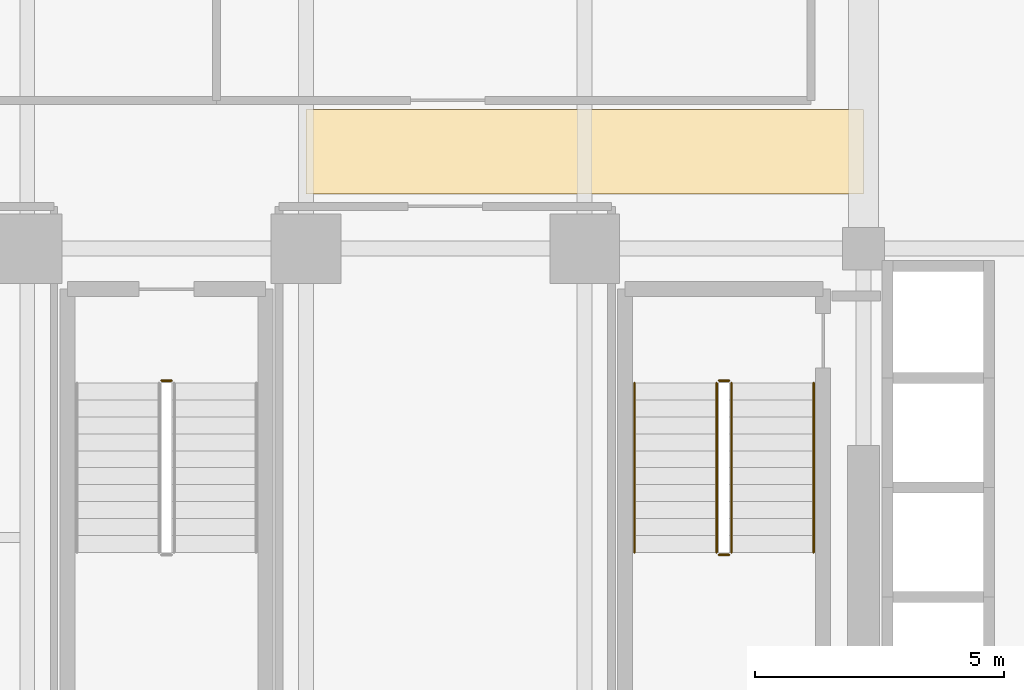
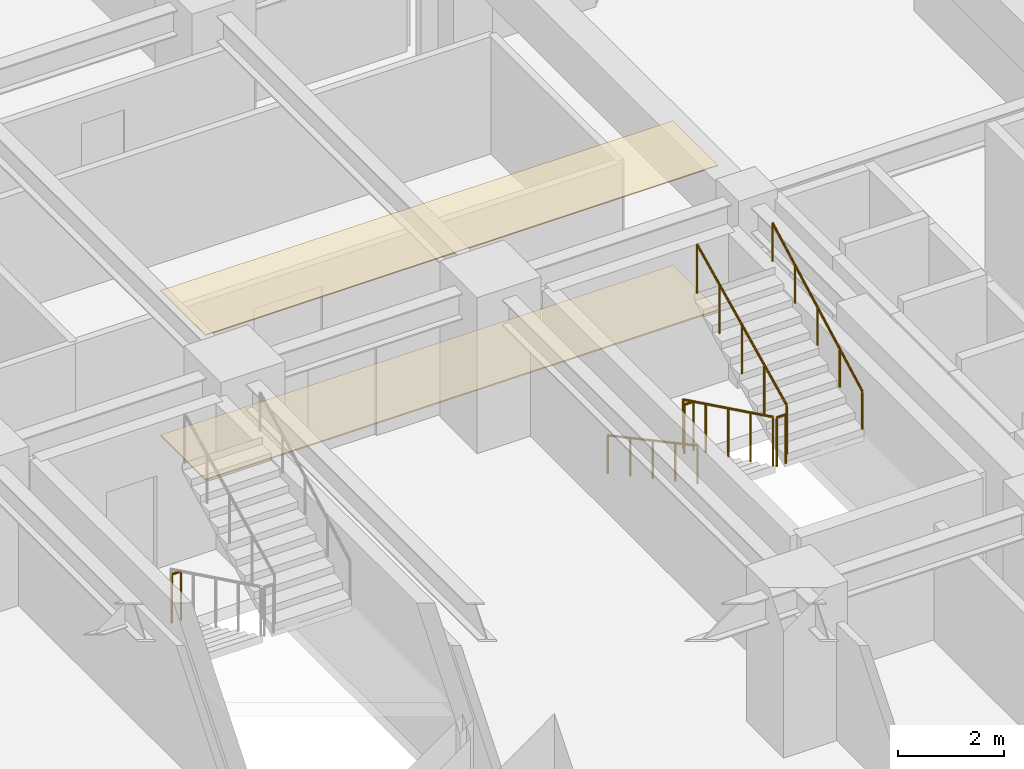
# One storey, part 36 of 39: 7 railings, 2 coverings.
"""IFC4 building model written with IfcOpenShell, lengths in metres."""

from ifc_helpers import new_model, si_unit, direction, frame, origin, origin_2d, place, context, subcontext, project, spatial, polyline, circle, outline, extrude, material, layer, layer_set, type_object, element, save


model = new_model("IFC4")

# Units and contexts
model_context = context("Model", 3, precision=1e-05, world=origin(), true_north=direction((0.0, 1.0)))
body_context = subcontext(model_context, "Body", "Model", "MODEL_VIEW")
ifc_project = project(units=[si_unit("LENGTHUNIT", "METRE"), si_unit("AREAUNIT", "SQUARE_METRE"), si_unit("VOLUMEUNIT", "CUBIC_METRE"), si_unit("PLANEANGLEUNIT", "RADIAN"), si_unit("MASSUNIT", "GRAM", prefix="KILO")], contexts=[model_context])

# Site, building, storey
site_placement = place(None, origin())
site = spatial("IfcSite", under=ifc_project, at=site_placement, CompositionType="ELEMENT")
building_placement = place(site_placement, origin())
building = spatial("IfcBuilding", under=site, at=building_placement, Name="Nahalor Promenade Grand Hotel", CompositionType="ELEMENT")
storey_placement = place(building_placement, frame((0.0, 0.0, 32.39990234375)))
storey = spatial("IfcBuildingStorey", under=building, at=storey_placement, Name="L06", CompositionType="ELEMENT", Elevation=32.39990234375)

# Coverings
ifc_material_1 = material(Name="Acoustic Mineral Gypsum", Category="gypsum")
ifc_layer_1 = layer(ifc_material_1, 0.02490234375)
ifc_layer_set_1 = layer_set([ifc_layer_1], Name="Acoustic Mineral Gypsum")
covering_type_1 = type_object("IfcCoveringType", Name="Acoustic Suspended Ceiling Tile", PredefinedType="CEILING", material=ifc_layer_set_1)
covering_1_placement = place(storey_placement, frame((0.0, 0.0, 3.34521484375)))
element("IfcCovering", 1, at=covering_1_placement, inside=storey, type_object=covering_type_1, Name="CV-CEIL-L06", PredefinedType="CEILING", context=body_context, shape_type="SweptSolid", body=[
    extrude(outline(polyline([(-2.800048828125, -4.300048828125), (8.39990234375, -4.300048828125), (8.39990234375, -2.60009765625), (-2.800048828125, -2.60009765625), (-2.800048828125, -4.300048828125)])), origin(), (0.0, 0.0, 1.0), 0.02490234375),
])
ifc_material_2 = material(Name="Jerusalem Limestone Flooring", Category="masonry")
ifc_layer_2 = layer(ifc_material_2, 0.030029296875)
ifc_layer_set_2 = layer_set([ifc_layer_2], Name="Jerusalem Limestone Flooring")
covering_type_2 = type_object("IfcCoveringType", Name="Honed Limestone Floor Finish", PredefinedType="FLOORING", material=ifc_layer_set_2)
covering_2_placement = place(storey_placement, origin())
element("IfcCovering", 2, at=covering_2_placement, inside=storey, type_object=covering_type_2, Name="CV-FLOR-L06", PredefinedType="FLOORING", context=body_context, shape_type="SweptSolid", body=[
    extrude(outline(polyline([(-2.800048828125, -4.300048828125), (8.39990234375, -4.300048828125), (8.39990234375, -2.60009765625), (-2.800048828125, -2.60009765625), (-2.800048828125, -4.300048828125)])), origin(), (0.0, 0.0, 1.0), 0.030029296875),
])

# Railings
ifc_material_3 = material(Name="Steel S355JR", Category="steel")
railing_type_1 = type_object("IfcRailingType", Name="Steel Stair Guardrail 1150 mm", PredefinedType="GUARDRAIL", material=ifc_material_3)
railing_1_placement = place(storey_placement, frame((5.449951171875, -8.10009765625, 0.166015625)))
element("IfcRailing", 3, at=railing_1_placement, inside=storey, type_object=railing_type_1, Name="L06 ST2 stair guard 1", PredefinedType="GUARDRAIL", context=body_context, shape_type="SweptSolid", body=[
    extrude(circle(Radius=0.024048, at=origin_2d()), frame((0.0, 0.0, 1.1259765625), z_axis=(0.0, -0.898696488221, 0.438571114028), x_axis=(1.0, 0.0, 0.0)), (0.0, 0.0, 1.0), 3.783203125),
    extrude(circle(Radius=0.020996, at=origin_2d()), origin(), (0.0, 0.0, 1.0), 1.099853515625),
    extrude(circle(Radius=0.020996, at=origin_2d()), frame((0.0, -0.85009765625, 0.414794921875)), (0.0, 0.0, 1.0), 1.099853515625),
    extrude(circle(Radius=0.020996, at=origin_2d()), frame((0.0, -1.699951171875, 0.82958984375)), (0.0, 0.0, 1.0), 1.099853515625),
    extrude(circle(Radius=0.020996, at=origin_2d()), frame((0.0, -2.5498046875, 1.244384765625)), (0.0, 0.0, 1.0), 1.099853515625),
    extrude(circle(Radius=0.020996, at=origin_2d()), frame((0.0, -3.39990234375, 1.6591796875)), (0.0, 0.0, 1.0), 1.099853515625),
])
railing_2_placement = place(storey_placement, frame((5.5, -11.550048828125, 1.8251953125)))
element("IfcRailing", 4, at=railing_2_placement, inside=storey, type_object=railing_type_1, Name="L06 ST2 stair guard 2", PredefinedType="GUARDRAIL", context=body_context, shape_type="SweptSolid", body=[
    extrude(circle(Radius=0.024048, at=origin_2d()), frame((0.0, 0.0, 1.1259765625), z_axis=(1.0, 0.0, 0.0), x_axis=(0.0, 1.0, 0.0)), (0.0, 0.0, 1.0), 0.199951171875),
    extrude(circle(Radius=0.020996, at=origin_2d()), origin(), (0.0, 0.0, 1.0), 1.099853515625),
    extrude(circle(Radius=0.020996, at=origin_2d()), frame((0.199951171875, 0.0, 0.0)), (0.0, 0.0, 1.0), 1.099853515625),
])
railing_3_placement = place(storey_placement, frame((5.75, -11.5, 1.990966796875)))
element("IfcRailing", 5, at=railing_3_placement, inside=storey, type_object=railing_type_1, Name="L06 ST2 stair guard 3", PredefinedType="GUARDRAIL", context=body_context, shape_type="SweptSolid", body=[
    extrude(circle(Radius=0.024048, at=origin_2d()), frame((0.0, 0.0, 1.1259765625), z_axis=(0.0, 0.898696488221, 0.438571114028), x_axis=(-1.0, 0.0, 0.0)), (0.0, 0.0, 1.0), 3.783203125),
    extrude(circle(Radius=0.020996, at=origin_2d()), origin(), (0.0, 0.0, 1.0), 1.099853515625),
    extrude(circle(Radius=0.020996, at=origin_2d()), frame((0.0, 0.85009765625, 0.414794921875)), (0.0, 0.0, 1.0), 1.099853515625),
    extrude(circle(Radius=0.020996, at=origin_2d()), frame((0.0, 1.699951171875, 0.82958984375)), (0.0, 0.0, 1.0), 1.099853515625),
    extrude(circle(Radius=0.020996, at=origin_2d()), frame((0.0, 2.5498046875, 1.244384765625)), (0.0, 0.0, 1.0), 1.099853515625),
    extrude(circle(Radius=0.020996, at=origin_2d()), frame((0.0, 3.39990234375, 1.6591796875)), (0.0, 0.0, 1.0), 1.099853515625),
])
for number, where, name in (
    (6, (5.5, -8.050048828125, 0.0), "L06 ST2 stair guard 4"),
    (7, (-5.699951171875, -8.050048828125, 0.0), "L06 ST3 stair guard 4"),
):
    element("IfcRailing", number, at=place(storey_placement, frame(where)), inside=storey, type_object=railing_type_1, Name=name, PredefinedType="GUARDRAIL", context=body_context, shape_type="SweptSolid", body=[
        extrude(circle(Radius=0.024048, at=origin_2d()), frame((0.0, 0.0, 1.1259765625), z_axis=(1.0, 0.0, 0.0), x_axis=(0.0, 1.0, 0.0)), (0.0, 0.0, 1.0), 0.199951171875),
        extrude(circle(Radius=0.020996, at=origin_2d()), origin(), (0.0, 0.0, 1.0), 1.099853515625),
        extrude(circle(Radius=0.020996, at=origin_2d()), frame((0.199951171875, 0.0, 0.0)), (0.0, 0.0, 1.0), 1.099853515625),
    ])
railing_type_2 = type_object("IfcRailingType", Name="Steel Stair Handrail 900 mm", PredefinedType="HANDRAIL", material=ifc_material_3)
railing_4_placement = place(storey_placement, frame((3.800048828125, -8.10009765625, 0.166015625)))
element("IfcRailing", 8, at=railing_4_placement, inside=storey, type_object=railing_type_2, Name="L06 ST2 stair handrail 1", PredefinedType="HANDRAIL", context=body_context, shape_type="SweptSolid", body=[
    extrude(circle(Radius=0.024048, at=origin_2d()), frame((0.0, 0.0, 0.8759765625), z_axis=(0.0, -0.881094038095, 0.47294111265), x_axis=(1.0, 0.0, 0.0)), (0.0, 0.0, 1.0), 3.858642578125),
    extrude(circle(Radius=0.020996, at=origin_2d()), origin(), (0.0, 0.0, 1.0), 0.849853515625),
    extrude(circle(Radius=0.020996, at=origin_2d()), frame((0.0, -0.85009765625, 0.456298828125)), (0.0, 0.0, 1.0), 0.849853515625),
    extrude(circle(Radius=0.020996, at=origin_2d()), frame((0.0, -1.699951171875, 0.91259765625)), (0.0, 0.0, 1.0), 0.849853515625),
    extrude(circle(Radius=0.020996, at=origin_2d()), frame((0.0, -2.5498046875, 1.36865234375)), (0.0, 0.0, 1.0), 0.849853515625),
    extrude(circle(Radius=0.020996, at=origin_2d()), frame((0.0, -3.39990234375, 1.824951171875)), (0.0, 0.0, 1.0), 0.849853515625),
])
railing_5_placement = place(storey_placement, frame((7.39990234375, -11.5, 1.990966796875)))
element("IfcRailing", 9, at=railing_5_placement, inside=storey, type_object=railing_type_2, Name="L06 ST2 stair handrail 2", PredefinedType="HANDRAIL", context=body_context, shape_type="SweptSolid", body=[
    extrude(circle(Radius=0.024048, at=origin_2d()), frame((0.0, 0.0, 0.8759765625), z_axis=(0.0, 0.881094038095, 0.47294111265), x_axis=(-1.0, 0.0, 0.0)), (0.0, 0.0, 1.0), 3.858642578125),
    extrude(circle(Radius=0.020996, at=origin_2d()), origin(), (0.0, 0.0, 1.0), 0.849853515625),
    extrude(circle(Radius=0.020996, at=origin_2d()), frame((0.0, 0.85009765625, 0.456298828125)), (0.0, 0.0, 1.0), 0.849853515625),
    extrude(circle(Radius=0.020996, at=origin_2d()), frame((0.0, 1.699951171875, 0.91259765625)), (0.0, 0.0, 1.0), 0.849853515625),
    extrude(circle(Radius=0.020996, at=origin_2d()), frame((0.0, 2.5498046875, 1.36865234375)), (0.0, 0.0, 1.0), 0.849853515625),
    extrude(circle(Radius=0.020996, at=origin_2d()), frame((0.0, 3.39990234375, 1.824951171875)), (0.0, 0.0, 1.0), 0.849853515625),
])

save(model, "model.ifc")
